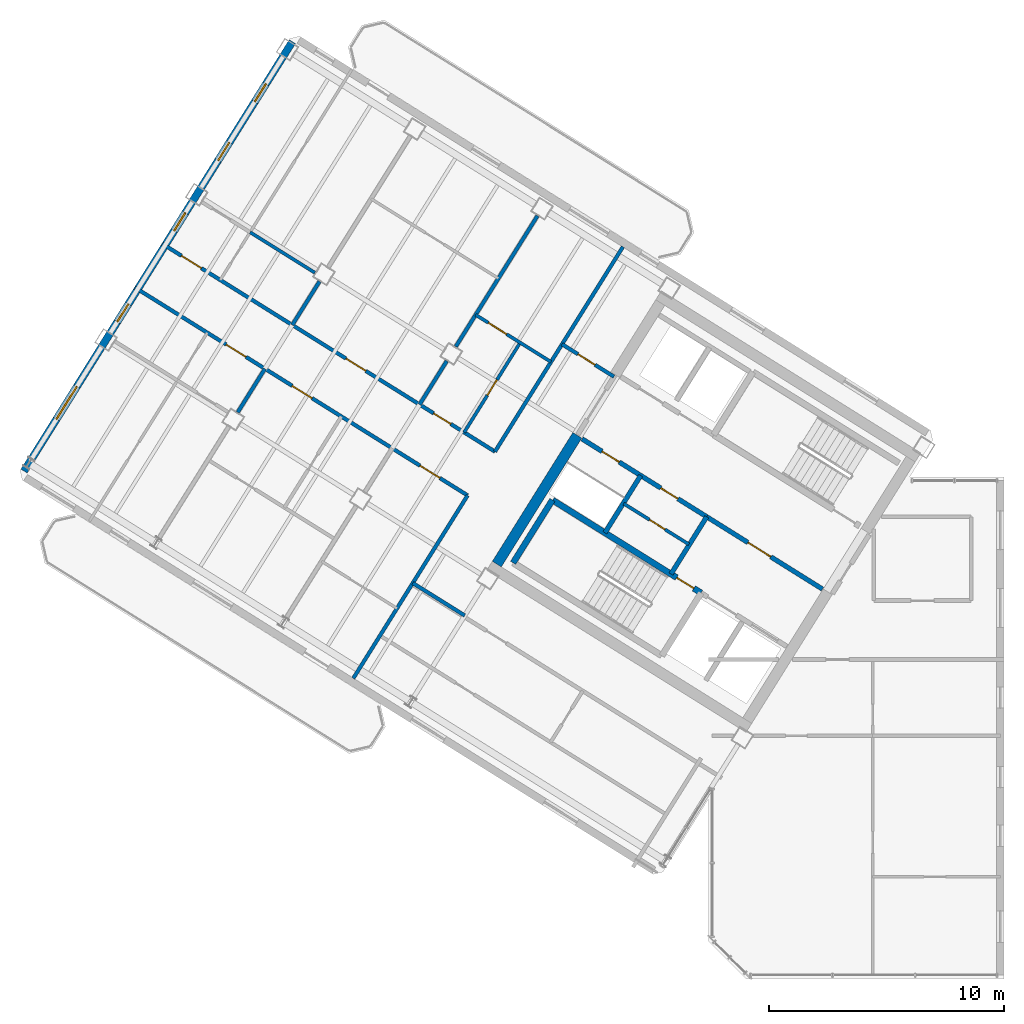
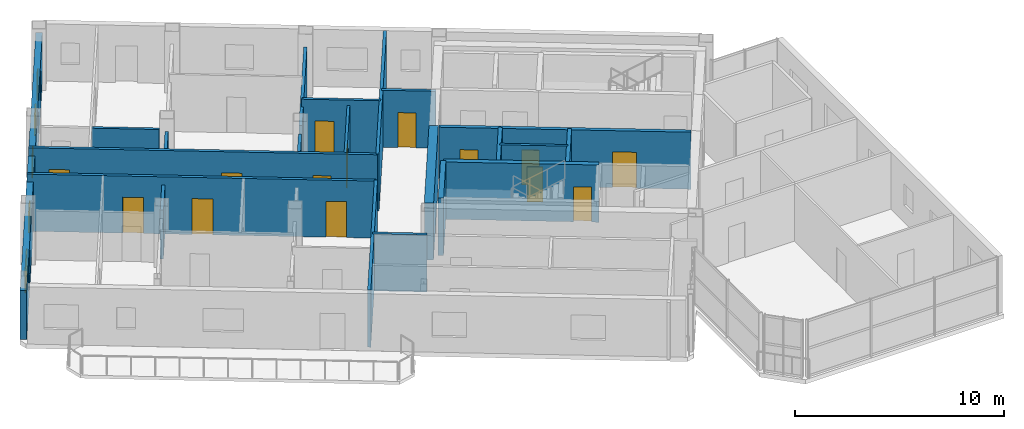
# One storey, part 9 of 14: 22 walls, 14 doors, 5 windows, 19 openings.
"""IFC4 building model written with IfcOpenShell, lengths in metres."""

import ifcopenshell
import ifcopenshell.guid

model = None  # the IFC model being written
_history = None  # IfcOwnerHistory: only IFC2X3 demands one
_inside = {}  # id of a spatial element -> (the spatial element, [elements in it])
_under = {}  # id of a project, library or spatial element -> (it, [spatial elements below it])
_declared = {}  # id of a project -> (the project, [libraries it declares])
_typed = {}  # id of a type object -> (the type object, [elements of that type])
_made_of = {}  # id of a material, layer set ... -> (it, [elements and type objects made of it])


def new_model(schema):
    """Start an empty IFC model of exactly this schema.

    Asked for "IFC4X3", IfcOpenShell would pick the latest addendum, in which some entities
    have other attributes; the version numbers below select the first issue.
    IFC2X3 requires an IfcOwnerHistory on every rooted entity: one is made here for all.
    """
    global model, _history
    if schema == "IFC4X3":
        model = ifcopenshell.file(schema_version=(4, 3, 0, 0))
    else:
        model = ifcopenshell.file(schema=schema)
    _inside.clear()
    _under.clear()
    _declared.clear()
    _typed.clear()
    _made_of.clear()
    _history = None
    if model.schema == "IFC2X3":
        org = make("IfcOrganization", Name="unknown")
        user = make(
            "IfcPersonAndOrganization",
            ThePerson=make("IfcPerson", FamilyName="unknown"),
            TheOrganization=org,
        )
        app = make(
            "IfcApplication",
            ApplicationDeveloper=org,
            Version="unknown",
            ApplicationFullName="unknown",
            ApplicationIdentifier="unknown",
        )
        _history = make(
            "IfcOwnerHistory",
            OwningUser=user,
            OwningApplication=app,
            ChangeAction="ADDED",
            CreationDate=0,
        )
    return model


def make(cls, **values):
    """One entity of the class cls with the attributes given. An attribute that is None is left unset."""
    return model.create_entity(
        cls, **{name: value for name, value in values.items() if value is not None}
    )


def rooted(cls, **values):
    """An entity with a GlobalId (a new one), such as an element, a storey or a relation."""
    return make(cls, GlobalId=ifcopenshell.guid.new(), OwnerHistory=_history, **values)


def si_unit(unit_type, name, prefix=None):
    """IfcSIUnit, for example si_unit("LENGTHUNIT", "METRE", prefix="MILLI")."""
    return make("IfcSIUnit", UnitType=unit_type, Prefix=prefix, Name=name)


def assignment(units):
    """IfcUnitAssignment: the units of a project."""
    return None if units is None else make("IfcUnitAssignment", Units=units)


def point(xyz):
    """IfcCartesianPoint."""
    return None if xyz is None else make("IfcCartesianPoint", Coordinates=xyz)


def direction(xyz):
    """IfcDirection."""
    return None if xyz is None else make("IfcDirection", DirectionRatios=xyz)


def frame(location, z_axis=None, x_axis=None):
    """IfcAxis2Placement3D, a coordinate frame: its origin and axes. An axis left out is left unset."""
    return make(
        "IfcAxis2Placement3D",
        Location=point(location),
        Axis=direction(z_axis),
        RefDirection=direction(x_axis),
    )


def frame_2d(location, x_axis=None):
    """IfcAxis2Placement2D, a coordinate frame in the plane: its origin and x axis."""
    return make(
        "IfcAxis2Placement2D", Location=point(location), RefDirection=direction(x_axis)
    )


def origin():
    """The frame at (0, 0, 0) with its axes left unset."""
    return frame((0.0, 0.0, 0.0))


def place(relative_to, where):
    """IfcLocalPlacement: puts the frame where relative to a parent placement (None: the world)."""
    return make(
        "IfcLocalPlacement", PlacementRelTo=relative_to, RelativePlacement=where
    )


def context(
    kind, dimensions, precision=None, world=None, true_north=None, identifier=None
):
    """IfcGeometricRepresentationContext, for example the 3D "Model" context."""
    return make(
        "IfcGeometricRepresentationContext",
        ContextIdentifier=identifier,
        ContextType=kind,
        CoordinateSpaceDimension=dimensions,
        Precision=precision,
        WorldCoordinateSystem=world,
        TrueNorth=true_north,
    )


def subcontext(parent, identifier, kind, view, scale=None):
    """IfcGeometricRepresentationSubContext, for example "Body" below "Model"."""
    return make(
        "IfcGeometricRepresentationSubContext",
        ContextIdentifier=identifier,
        ContextType=kind,
        ParentContext=parent,
        TargetScale=scale,
        TargetView=view,
    )


def project(units=None, contexts=None):
    """IfcProject with its units and contexts."""
    return rooted(
        "IfcProject",
        Name="project",
        RepresentationContexts=contexts,
        UnitsInContext=assignment(units),
    )


def spatial(cls, under=None, at=None, **own):
    """A site, building, storey or space (cls), placed at a placement, below another one or the project."""
    s = rooted(cls, ObjectPlacement=at, **own)
    if under is not None:
        _under.setdefault(under.id(), (under, []))[1].append(s)
    return s


def profile(cls, at=None, kind="AREA", **sizes):
    """A parametric profile (cls). Its sizes go by their IFC names, for example OverallWidth=200.0."""
    return make(cls, ProfileType=kind, Position=at, **sizes)


def rectangle(**sizes):
    """IfcRectangleProfileDef."""
    return profile("IfcRectangleProfileDef", **sizes)


def extrude(swept, where, along, depth):
    """IfcExtrudedAreaSolid: the profile swept, set in the frame where, extruded along a direction by depth."""
    return make(
        "IfcExtrudedAreaSolid",
        SweptArea=swept,
        Position=where,
        ExtrudedDirection=direction(along),
        Depth=depth,
    )


def shape(context_of_items, identifier, shape_type, items):
    """IfcShapeRepresentation: the items that make up one representation, for example the "Body"."""
    return make(
        "IfcShapeRepresentation",
        ContextOfItems=context_of_items,
        RepresentationIdentifier=identifier,
        RepresentationType=shape_type,
        Items=items,
    )


def source(mapping_origin, context_of_items, identifier, shape_type, items):
    """IfcRepresentationMap: a shape defined once, which mapped items show again and again."""
    return make(
        "IfcRepresentationMap",
        MappingOrigin=mapping_origin,
        MappedRepresentation=shape(context_of_items, identifier, shape_type, items),
    )


def transform(
    local_origin,
    x_axis=None,
    y_axis=None,
    z_axis=None,
    scale=None,
    scale2=None,
    scale3=None,
    uniform=True,
):
    """IfcCartesianTransformationOperator3D, or its non-uniform kind. x_axis, y_axis, z_axis: its Axis1, 2, 3."""
    if uniform:
        return make(
            "IfcCartesianTransformationOperator3D",
            Axis1=direction(x_axis),
            Axis2=direction(y_axis),
            LocalOrigin=point(local_origin),
            Scale=scale,
            Axis3=direction(z_axis),
        )
    return make(
        "IfcCartesianTransformationOperator3DnonUniform",
        Axis1=direction(x_axis),
        Axis2=direction(y_axis),
        LocalOrigin=point(local_origin),
        Scale=scale,
        Axis3=direction(z_axis),
        Scale2=scale2,
        Scale3=scale3,
    )


def mapped(mapping_source, mapping_target):
    """IfcMappedItem: shows the shape of a source again, moved by a transform."""
    return make(
        "IfcMappedItem", MappingSource=mapping_source, MappingTarget=mapping_target
    )


def material(Name=None, Category=None):
    """IfcMaterial."""
    return make("IfcMaterial", Name=Name, Category=Category)


def layer(
    of_material, thickness, ventilated=None, Name=None, Category=None, Priority=None
):
    """IfcMaterialLayer: one layer of a wall or slab, of a material (None: an air gap)."""
    return make(
        "IfcMaterialLayer",
        Material=of_material,
        LayerThickness=thickness,
        IsVentilated=ventilated,
        Name=Name,
        Category=Category,
        Priority=Priority,
    )


def layer_set(layers, Name=None):
    """IfcMaterialLayerSet."""
    return make("IfcMaterialLayerSet", MaterialLayers=layers, LayerSetName=Name)


def made_of(thing, what):
    """Note that an element or type object is made of a material, layer set ...; save() writes the relation."""
    if what is not None:
        _made_of.setdefault(what.id(), (what, []))[1].append(thing)
    return thing


def type_object(cls, material=None, **own):
    """A type object (cls), such as IfcWallType, which elements share."""
    return made_of(rooted(cls, **own), material)


def element(
    cls,
    number,
    at=None,
    inside=None,
    cuts=None,
    type_object=None,
    material=None,
    context=None,
    identifier="Body",
    shape_type=None,
    held_by="IfcProductDefinitionShape",
    body=None,
    shapes=None,
    **own,
):
    """One element of the class cls, such as IfcWall. Its Tag is "e" and its number.

    at: its placement. inside: the storey or other place that contains it. cuts: it is an
    opening in that element (IfcRelVoidsElement). A single representation is given by context,
    identifier, shape_type and body (its items); several are given by shapes. held_by: the class
    of the entity that holds the representations. save() writes the other relations.
    """
    e = rooted(cls, Tag="e%d" % number, ObjectPlacement=at, **own)
    if body is not None:
        shapes = [shape(context, identifier, shape_type, body)]
    if shapes is not None:
        e.Representation = make(held_by, Representations=shapes)
    if inside is not None:
        _inside.setdefault(inside.id(), (inside, []))[1].append(e)
    if cuts is not None:
        rooted(
            "IfcRelVoidsElement", RelatingBuildingElement=cuts, RelatedOpeningElement=e
        )
    if type_object is not None:
        _typed.setdefault(type_object.id(), (type_object, []))[1].append(e)
    return made_of(e, material)


def fill(opening, filler):
    """IfcRelFillsElement: the door or window that sits in an opening."""
    return rooted(
        "IfcRelFillsElement",
        RelatingOpeningElement=opening,
        RelatedBuildingElement=filler,
    )


def aggregate(whole, parts):
    """IfcRelAggregates: a whole, such as a stair, and the parts it consists of."""
    return rooted("IfcRelAggregates", RelatingObject=whole, RelatedObjects=parts)


def save(model, path):
    """Write the relations noted so far, then the file.

    IfcRelAggregates (storeys below a building ...), IfcRelContainedInSpatialStructure (elements
    in a storey), IfcRelDefinesByType, IfcRelAssociatesMaterial and IfcRelDeclares: one each for
    every whole, place, type object, material and project.
    """
    for whole, parts in _under.values():
        aggregate(whole, parts)
    for where, things in _inside.values():
        rooted(
            "IfcRelContainedInSpatialStructure",
            RelatedElements=things,
            RelatingStructure=where,
        )
    for kind, things in _typed.values():
        rooted("IfcRelDefinesByType", RelatedObjects=things, RelatingType=kind)
    for what, things in _made_of.values():
        rooted("IfcRelAssociatesMaterial", RelatedObjects=things, RelatingMaterial=what)
    for by, libraries in _declared.values():
        rooted("IfcRelDeclares", RelatingContext=by, RelatedDefinitions=libraries)
    model.write(path)


model = new_model("IFC4")

# Units and contexts
model_context = context("Model", 3, precision=1e-05, world=origin(), true_north=direction((0.0, 1.0)))
body_context = subcontext(model_context, "Body", "Model", "MODEL_VIEW")
ifc_project = project(units=[si_unit("LENGTHUNIT", "METRE"), si_unit("AREAUNIT", "SQUARE_METRE"), si_unit("VOLUMEUNIT", "CUBIC_METRE"), si_unit("PLANEANGLEUNIT", "RADIAN"), si_unit("MASSUNIT", "GRAM", prefix="KILO")], contexts=[model_context])

# Site, building, storey
site_placement = place(None, origin())
site = spatial("IfcSite", under=ifc_project, at=site_placement, CompositionType="ELEMENT")
building_placement = place(site_placement, origin())
building = spatial("IfcBuilding", under=site, at=building_placement, Name="Tlacorven Tower", CompositionType="ELEMENT")
storey_placement = place(building_placement, frame((0.0, 0.0, 273.60009765625)))
storey = spatial("IfcBuildingStorey", under=building, at=storey_placement, Name="L69", CompositionType="ELEMENT", Elevation=273.60009765625)

# Wall
ifc_material_1 = material(Name="Concrete C50/60", Category="concrete")
ifc_layer_1 = layer(ifc_material_1, 0.449951171875)
ifc_layer_set_1 = layer_set([ifc_layer_1], Name="Concrete C50/60")
wall_type_1 = type_object("IfcWallType", Name="WL-COR-450", PredefinedType="SHEAR", material=ifc_layer_set_1)
wall_1_placement = place(storey_placement, frame((26.006591796875, 24.975830078125, 0.0), z_axis=(0.0, 0.0, 1.0), x_axis=(-0.529931155655, -0.848040665456, 0.0)))
element("IfcWall", 1, at=wall_1_placement, inside=storey, type_object=wall_type_1, Name="L69 W core end wall E2.2", PredefinedType="SHEAR", context=body_context, shape_type="SweptSolid", body=[
    extrude(rectangle(XDim=6.47509765625, YDim=0.449951171875, at=frame_2d((3.237548828125, 0.0))), origin(), (0.0, 0.0, 1.0), 3.349853515625),
])

# Wall, opening, door
ifc_material_2 = material(Name="Gypsum plasterboard acoustic partition", Category="gypsum")
ifc_layer_2 = layer(ifc_material_2, 0.159912109375)
ifc_layer_set_2 = layer_set([ifc_layer_2], Name="Gypsum plasterboard acoustic partition")
wall_type_2 = type_object("IfcWallType", Name="WL-DEM-160", PredefinedType="PARTITIONING", material=ifc_layer_set_2)
wall_2_placement = place(storey_placement, frame((27.56982421875, 27.4775390625, 0.0), z_axis=(0.0, 0.0, 1.0), x_axis=(-0.848050851465, 0.529914854792, 0.0)))
wall_2 = element("IfcWall", 2, at=wall_2_placement, inside=storey, type_object=wall_type_2, Name="L69 partition 20", PredefinedType="PARTITIONING", context=body_context, shape_type="SweptSolid", body=[
    extrude(rectangle(XDim=2.60986328125, YDim=0.159912109375, at=frame_2d((1.304931640625, 0.0))), origin(), (0.0, 0.0, 1.0), 3.33984375),
])
opening_1_placement = place(wall_2_placement, frame((0.949951171875, 0.0, 0.0)))
opening_1 = element("IfcOpeningElement", 3, at=opening_1_placement, cuts=wall_2, Name="Opening D19", PredefinedType="OPENING", context=body_context, shape_type="SweptSolid", body=[
    extrude(rectangle(XDim=0.860107421875, YDim=2.050048828125, at=frame_2d((0.43017578125, 1.02490234375))), frame((0.0, 0.08984375, 0.0), z_axis=(0.0, -1.0, 0.0), x_axis=(1.0, 0.0, 0.0)), (0.0, 0.0, 1.0), 0.179931640625),
])
ifc_material_3 = material(Name="Fire-rated steel door assembly", Category="steel")
door_type_1 = type_object("IfcDoorType", Name="DR-RSR-FD60-0860", OperationType="NOTDEFINED", PredefinedType="DOOR", material=ifc_material_3)
shared_shape_1 = source(origin(), body_context, "Body", "SweptSolid", [
    extrude(rectangle(XDim=0.860107421875, YDim=2.050048828125, at=frame_2d((0.43017578125, 1.02490234375))), frame((0.0, 0.02490234375, 0.0), z_axis=(0.0, -1.0, 0.0), x_axis=(1.0, 0.0, 0.0)), (0.0, 0.0, 1.0), 0.050048828125),
])
door_1_placement = place(opening_1_placement, frame((0.860107421875, 0.0, 0.0), z_axis=(0.0, 0.0, 1.0), x_axis=(-1.0, 0.0, 0.0)))
door_1 = element("IfcDoor", 4, at=door_1_placement, inside=storey, type_object=door_type_1, Name="L69 door 011", OperationType="SINGLE_SWING_LEFT", OverallHeight=2.050048828125, OverallWidth=0.860107421875, PredefinedType="DOOR", context=body_context, shape_type="MappedRepresentation", body=[
    mapped(shared_shape_1, transform((0.0, 0.0, 0.0), scale=1.0)),
])
fill(opening_1, door_1)

# Walls
wall_3_placement = place(storey_placement, frame((21.20556640625, 17.29248046875, 0.0), z_axis=(0.0, 0.0, 1.0), x_axis=(-0.848050851465, 0.529914854792, 0.0)))
element("IfcWall", 5, at=wall_3_placement, inside=storey, type_object=wall_type_2, Name="L69 partition 21", PredefinedType="PARTITIONING", context=body_context, shape_type="SweptSolid", body=[
    extrude(rectangle(XDim=2.60986328125, YDim=0.159912109375, at=frame_2d((1.304931640625, 0.0))), origin(), (0.0, 0.0, 1.0), 3.33984375),
])
wall_4_placement = place(storey_placement, frame((27.952880859375, 33.01611328125, 0.0), z_axis=(0.0, 0.0, 1.0), x_axis=(-0.529909450694, -0.848054228257, 0.0)))
element("IfcWall", 6, at=wall_4_placement, inside=storey, type_object=wall_type_2, Name="L69 partition 22", PredefinedType="PARTITIONING", context=body_context, shape_type="SweptSolid", body=[
    extrude(rectangle(XDim=10.2998046875, YDim=0.159912109375, at=frame_2d((5.14990234375, 0.0))), origin(), (0.0, 0.0, 1.0), 3.33984375),
])
wall_5_placement = place(storey_placement, frame((21.3291015625, 22.41552734375, 0.0), z_axis=(0.0, 0.0, 1.0), x_axis=(-0.529920220799, -0.848047498427, 0.0)))
element("IfcWall", 7, at=wall_5_placement, inside=storey, type_object=wall_type_2, Name="L69 partition 23", PredefinedType="PARTITIONING", context=body_context, shape_type="SweptSolid", body=[
    extrude(rectangle(XDim=9.199951171875, YDim=0.159912109375, at=frame_2d((4.60009765625, 0.0))), origin(), (0.0, 0.0, 1.0), 3.33984375),
])

# Wall, openings, doors
wall_6_placement = place(storey_placement, frame((22.494873046875, 24.28125, 0.0), z_axis=(0.0, 0.0, 1.0), x_axis=(-0.848052408131, 0.529912363569, 0.0)))
wall_6 = element("IfcWall", 8, at=wall_6_placement, inside=storey, type_object=wall_type_2, Name="L69 Wing W Corridor South Wall", PredefinedType="PARTITIONING", context=body_context, shape_type="SweptSolid", body=[
    extrude(rectangle(XDim=16.72998046875, YDim=0.159912109375, at=frame_2d((8.364990234375, 0.0))), origin(), (0.0, 0.0, 1.0), 3.33984375),
])
opening_2_placement = place(wall_6_placement, frame((2.219970703125, 0.0, 0.0)))
opening_2 = element("IfcOpeningElement", 9, at=opening_2_placement, cuts=wall_6, Name="Opening D19", PredefinedType="OPENING", context=body_context, shape_type="SweptSolid", body=[
    extrude(rectangle(XDim=0.860107421875, YDim=2.050048828125, at=frame_2d((0.43017578125, 1.02490234375))), frame((0.0, 0.08984375, 0.0), z_axis=(0.0, -1.0, 0.0), x_axis=(1.0, 0.0, 0.0)), (0.0, 0.0, 1.0), 0.179931640625),
])
opening_3_placement = place(wall_6_placement, frame((6.489990234375, 0.0, 0.0)))
opening_3 = element("IfcOpeningElement", 10, at=opening_3_placement, cuts=wall_6, Name="Opening D11", PredefinedType="OPENING", context=body_context, shape_type="SweptSolid", body=[
    extrude(rectangle(XDim=1.0, YDim=2.10009765625, at=frame_2d((0.5, 1.050048828125))), frame((0.0, 0.08984375, 0.0), z_axis=(0.0, -1.0, 0.0), x_axis=(1.0, 0.0, 0.0)), (0.0, 0.0, 1.0), 0.179931640625),
])
opening_4_placement = place(wall_6_placement, frame((14.760009765625, 0.0, 0.0)))
opening_4 = element("IfcOpeningElement", 11, at=opening_4_placement, cuts=wall_6, Name="Opening D11", PredefinedType="OPENING", context=body_context, shape_type="SweptSolid", body=[
    extrude(rectangle(XDim=1.0, YDim=2.10009765625, at=frame_2d((0.5, 1.050048828125))), frame((0.0, 0.08984375, 0.0), z_axis=(0.0, -1.0, 0.0), x_axis=(1.0, 0.0, 0.0)), (0.0, 0.0, 1.0), 0.179931640625),
])
door_2_placement = place(opening_2_placement, origin())
door_2 = element("IfcDoor", 12, at=door_2_placement, inside=storey, type_object=door_type_1, Name="L69 door 023", OperationType="SINGLE_SWING_RIGHT", OverallHeight=2.050048828125, OverallWidth=0.860107421875, PredefinedType="DOOR", context=body_context, shape_type="MappedRepresentation", body=[
    mapped(shared_shape_1, transform((0.0, 0.0, 0.0), scale=1.0)),
])
fill(opening_2, door_2)
door_type_2 = type_object("IfcDoorType", Name="DR-FLT-FD60-1000", OperationType="NOTDEFINED", PredefinedType="DOOR", material=ifc_material_3)
shared_shape_2 = source(origin(), body_context, "Body", "SweptSolid", [
    extrude(rectangle(XDim=1.0, YDim=2.10009765625, at=frame_2d((0.5, 1.050048828125))), frame((0.0, 0.02490234375, 0.0), z_axis=(0.0, -1.0, 0.0), x_axis=(1.0, 0.0, 0.0)), (0.0, 0.0, 1.0), 0.050048828125),
])
door_3_placement = place(opening_3_placement, origin())
door_3 = element("IfcDoor", 13, at=door_3_placement, inside=storey, type_object=door_type_2, Name="L69 door 026", OperationType="SINGLE_SWING_LEFT", OverallHeight=2.10009765625, OverallWidth=1.0, PredefinedType="DOOR", context=body_context, shape_type="MappedRepresentation", body=[
    mapped(shared_shape_2, transform((0.0, 0.0, 0.0), scale=1.0)),
])
fill(opening_3, door_3)
door_4_placement = place(opening_4_placement, origin())
door_4 = element("IfcDoor", 14, at=door_4_placement, inside=storey, type_object=door_type_2, Name="L69 door 029", OperationType="SINGLE_SWING_RIGHT", OverallHeight=2.10009765625, OverallWidth=1.0, PredefinedType="DOOR", context=body_context, shape_type="MappedRepresentation", body=[
    mapped(shared_shape_2, transform((0.0, 0.0, 0.0), scale=1.0)),
])
fill(opening_4, door_4)

wall_7_placement = place(storey_placement, frame((21.3291015625, 22.41552734375, 0.0), z_axis=(0.0, 0.0, 1.0), x_axis=(-0.848052408131, 0.529912363569, 0.0)))
wall_7 = element("IfcWall", 15, at=wall_7_placement, inside=storey, type_object=wall_type_2, Name="L69 Wing W Corridor North Wall", PredefinedType="PARTITIONING", context=body_context, shape_type="SweptSolid", body=[
    extrude(rectangle(XDim=16.72998046875, YDim=0.159912109375, at=frame_2d((8.364990234375, 0.0))), origin(), (0.0, 0.0, 1.0), 3.33984375),
])
opening_5_placement = place(wall_7_placement, frame((1.39501953125, 0.0, 0.0)))
opening_5 = element("IfcOpeningElement", 16, at=opening_5_placement, cuts=wall_7, Name="Opening D11", PredefinedType="OPENING", context=body_context, shape_type="SweptSolid", body=[
    extrude(rectangle(XDim=1.0, YDim=2.10009765625, at=frame_2d((0.5, 1.050048828125))), frame((0.0, 0.08984375, 0.0), z_axis=(0.0, -1.0, 0.0), x_axis=(1.0, 0.0, 0.0)), (0.0, 0.0, 1.0), 0.179931640625),
])
opening_6_placement = place(wall_7_placement, frame((7.820068359375, 0.0, 0.0)))
opening_6 = element("IfcOpeningElement", 17, at=opening_6_placement, cuts=wall_7, Name="Opening D11", PredefinedType="OPENING", context=body_context, shape_type="SweptSolid", body=[
    extrude(rectangle(XDim=1.0, YDim=2.10009765625, at=frame_2d((0.5, 1.050048828125))), frame((0.0, 0.08984375, 0.0), z_axis=(0.0, -1.0, 0.0), x_axis=(1.0, 0.0, 0.0)), (0.0, 0.0, 1.0), 0.179931640625),
])
opening_7_placement = place(wall_7_placement, frame((11.139892578125, 0.0, 0.0)))
opening_7 = element("IfcOpeningElement", 18, at=opening_7_placement, cuts=wall_7, Name="Opening D11", PredefinedType="OPENING", context=body_context, shape_type="SweptSolid", body=[
    extrude(rectangle(XDim=1.0, YDim=2.10009765625, at=frame_2d((0.5, 1.050048828125))), frame((0.0, 0.08984375, 0.0), z_axis=(0.0, -1.0, 0.0), x_axis=(1.0, 0.0, 0.0)), (0.0, 0.0, 1.0), 0.179931640625),
])
door_5_placement = place(opening_5_placement, origin())
door_5 = element("IfcDoor", 19, at=door_5_placement, inside=storey, type_object=door_type_2, Name="L69 door 013", OperationType="SINGLE_SWING_RIGHT", OverallHeight=2.10009765625, OverallWidth=1.0, PredefinedType="DOOR", context=body_context, shape_type="MappedRepresentation", body=[
    mapped(shared_shape_2, transform((0.0, 0.0, 0.0), scale=1.0)),
])
fill(opening_5, door_5)
door_6_placement = place(opening_6_placement, origin())
door_6 = element("IfcDoor", 20, at=door_6_placement, inside=storey, type_object=door_type_2, Name="L69 door 015", OperationType="SINGLE_SWING_RIGHT", OverallHeight=2.10009765625, OverallWidth=1.0, PredefinedType="DOOR", context=body_context, shape_type="MappedRepresentation", body=[
    mapped(shared_shape_2, transform((0.0, 0.0, 0.0), scale=1.0)),
])
fill(opening_6, door_6)
door_7_placement = place(opening_7_placement, origin())
door_7 = element("IfcDoor", 21, at=door_7_placement, inside=storey, type_object=door_type_2, Name="L69 door 019", OperationType="SINGLE_SWING_RIGHT", OverallHeight=2.10009765625, OverallWidth=1.0, PredefinedType="DOOR", context=body_context, shape_type="MappedRepresentation", body=[
    mapped(shared_shape_2, transform((0.0, 0.0, 0.0), scale=1.0)),
])
fill(opening_7, door_7)

# Walls
wall_8_placement = place(storey_placement, frame((12.6875, 27.8154296875, 0.0), z_axis=(0.0, 0.0, 1.0), x_axis=(-0.52994879608, -0.848029641896, 0.0)))
element("IfcWall", 22, at=wall_8_placement, inside=storey, type_object=wall_type_2, Name="L69 WN Demising Wall 2", PredefinedType="PARTITIONING", context=body_context, shape_type="SweptSolid", body=[
    extrude(rectangle(XDim=2.188232421875, YDim=0.159912109375, at=frame_2d((1.09423828125, 0.0))), origin(), (0.0, 0.0, 1.0), 2.875),
])
wall_9_placement = place(storey_placement, frame((24.30859375, 34.3359375, 0.0), z_axis=(0.0, 0.0, 1.0), x_axis=(-0.529895484599, -0.848062954858, 0.0)))
element("IfcWall", 23, at=wall_9_placement, inside=storey, type_object=wall_type_2, Name="L69 WS Demising Wall 1", PredefinedType="PARTITIONING", context=body_context, shape_type="SweptSolid", body=[
    extrude(rectangle(XDim=6.576171875, YDim=0.159912109375, at=frame_2d((3.2880859375, 0.0))), origin(), (0.0, 0.0, 1.0), 2.875),
])
for number, where, z_axis, x_axis, name in (
    (24, (20.440185546875, 28.14501953125, 0.0), (0.0, 0.0, 1.0), (-0.5299186965, -0.848048450915, 0.0), "L69 WS Demising Wall 1"),
    (25, (15.0126953125, 31.53662109375, 0.0), (0.0, 0.0, 1.0), (-0.5299186965, -0.848048450915, 0.0), "L69 WS Demising Wall 2"),
):
    element("IfcWall", number, at=place(storey_placement, frame(where, z_axis=z_axis, x_axis=x_axis)), inside=storey, type_object=wall_type_2, Name=name, PredefinedType="PARTITIONING", context=body_context, shape_type="SweptSolid", body=[
        extrude(rectangle(XDim=2.18798828125, YDim=0.159912109375, at=frame_2d((1.093994140625, 0.0))), origin(), (0.0, 0.0, 1.0), 2.875),
    ])

# Wall, openings, windows
ifc_material_4 = material(Name="Precast concrete C45/55", Category="concrete")
ifc_layer_3 = layer(ifc_material_4, 0.320068359375)
ifc_layer_set_3 = layer_set([ifc_layer_3], Name="Precast concrete C45/55")
wall_type_3 = type_object("IfcWallType", Name="WL-EXT-320", PredefinedType="STANDARD", material=ifc_layer_set_3)
wall_10_placement = place(storey_placement, frame((2.41455078125, 23.452392578125, 0.0), z_axis=(0.0, 0.0, 1.0), x_axis=(0.52991049553, 0.848053575387, 0.0)))
wall_10 = element("IfcWall", 26, at=wall_10_placement, inside=storey, type_object=wall_type_3, Name="L69 Masonry-Frame Recessed Facade Wall 3", PredefinedType="STANDARD", context=body_context, shape_type="SweptSolid", body=[
    extrude(rectangle(XDim=21.58740234375, YDim=0.320068359375, at=frame_2d((10.793701171875, 0.0))), origin(), (0.0, 0.0, 1.0), 2.875),
])
opening_8_placement = place(wall_10_placement, frame((2.606201171875, 0.0, 0.89990234375)))
opening_8 = element("IfcOpeningElement", 27, at=opening_8_placement, cuts=wall_10, Name="Opening WN07", PredefinedType="OPENING", context=body_context, shape_type="SweptSolid", body=[
    extrude(rectangle(XDim=1.64990234375, YDim=1.449951171875, at=frame_2d((0.824951171875, 0.72509765625))), frame((0.0, 0.169921875, 0.0), z_axis=(0.0, -1.0, 0.0), x_axis=(1.0, 0.0, 0.0)), (0.0, 0.0, 1.0), 0.340087890625),
])
opening_9_placement = place(wall_10_placement, frame((7.503662109375, 0.0, 1.0)))
opening_9 = element("IfcOpeningElement", 28, at=opening_9_placement, cuts=wall_10, Name="Opening WN05", PredefinedType="OPENING", context=body_context, shape_type="SweptSolid", body=[
    extrude(rectangle(XDim=0.89990234375, YDim=1.25, at=frame_2d((0.449951171875, 0.625))), frame((0.0, 0.169921875, 0.0), z_axis=(0.0, -1.0, 0.0), x_axis=(1.0, 0.0, 0.0)), (0.0, 0.0, 1.0), 0.340087890625),
])
opening_10_placement = place(wall_10_placement, frame((12.083740234375, 0.0, 1.0)))
opening_10 = element("IfcOpeningElement", 29, at=opening_10_placement, cuts=wall_10, Name="Opening WN05", PredefinedType="OPENING", context=body_context, shape_type="SweptSolid", body=[
    extrude(rectangle(XDim=0.89990234375, YDim=1.25, at=frame_2d((0.449951171875, 0.625))), frame((0.0, 0.169921875, 0.0), z_axis=(0.0, -1.0, 0.0), x_axis=(1.0, 0.0, 0.0)), (0.0, 0.0, 1.0), 0.340087890625),
])
opening_11_placement = place(wall_10_placement, frame((15.61865234375, 0.0, 1.0)))
opening_11 = element("IfcOpeningElement", 30, at=opening_11_placement, cuts=wall_10, Name="Opening WN05", PredefinedType="OPENING", context=body_context, shape_type="SweptSolid", body=[
    extrude(rectangle(XDim=0.89990234375, YDim=1.25, at=frame_2d((0.449951171875, 0.625))), frame((0.0, 0.169921875, 0.0), z_axis=(0.0, -1.0, 0.0), x_axis=(1.0, 0.0, 0.0)), (0.0, 0.0, 1.0), 0.340087890625),
])
opening_12_placement = place(wall_10_placement, frame((18.568603515625, 0.0, 1.0)))
opening_12 = element("IfcOpeningElement", 31, at=opening_12_placement, cuts=wall_10, Name="Opening WN05", PredefinedType="OPENING", context=body_context, shape_type="SweptSolid", body=[
    extrude(rectangle(XDim=0.89990234375, YDim=1.25, at=frame_2d((0.449951171875, 0.625))), frame((0.0, 0.169921875, 0.0), z_axis=(0.0, -1.0, 0.0), x_axis=(1.0, 0.0, 0.0)), (0.0, 0.0, 1.0), 0.340087890625),
])
ifc_material_5 = material(Name="Dark solar low-E double glazing in anodised aluminium frame", Category="aluminium")
window_type_1 = type_object("IfcWindowType", Name="WN-APT-0900X1350", PartitioningType="SINGLE_PANEL", PredefinedType="WINDOW", material=ifc_material_5)
shared_shape_3 = source(origin(), body_context, "Body", "SweptSolid", [
    extrude(rectangle(XDim=0.89990234375, YDim=1.25, at=frame_2d((0.449951171875, 0.625))), frame((0.0, 0.030029296875, 0.0), z_axis=(0.0, -1.0, 0.0), x_axis=(1.0, 0.0, 0.0)), (0.0, 0.0, 1.0), 0.06005859375),
])
window_1_placement = place(opening_9_placement, origin())
window_1 = element("IfcWindow", 32, at=window_1_placement, inside=storey, type_object=window_type_1, Name="L69 Recessed Masonry-Frame Window L69-03.2", OverallHeight=1.25, OverallWidth=0.89990234375, PartitioningType="SINGLE_PANEL", PredefinedType="WINDOW", context=body_context, shape_type="MappedRepresentation", body=[
    mapped(shared_shape_3, transform((0.0, 0.0, 0.0), scale=1.0)),
])
fill(opening_9, window_1)
window_2_placement = place(opening_10_placement, origin())
window_2 = element("IfcWindow", 33, at=window_2_placement, inside=storey, type_object=window_type_1, Name="L69 Recessed Masonry-Frame Window L69-03.3", OverallHeight=1.25, OverallWidth=0.89990234375, PartitioningType="SINGLE_PANEL", PredefinedType="WINDOW", context=body_context, shape_type="MappedRepresentation", body=[
    mapped(shared_shape_3, transform((0.0, 0.0, 0.0), scale=1.0)),
])
fill(opening_10, window_2)
window_3_placement = place(opening_11_placement, origin())
window_3 = element("IfcWindow", 34, at=window_3_placement, inside=storey, type_object=window_type_1, Name="L69 Recessed Masonry-Frame Window L69-03.4", OverallHeight=1.25, OverallWidth=0.89990234375, PartitioningType="SINGLE_PANEL", PredefinedType="WINDOW", context=body_context, shape_type="MappedRepresentation", body=[
    mapped(shared_shape_3, transform((0.0, 0.0, 0.0), scale=1.0)),
])
fill(opening_11, window_3)
window_4_placement = place(opening_12_placement, origin())
window_4 = element("IfcWindow", 35, at=window_4_placement, inside=storey, type_object=window_type_1, Name="L69 Recessed Masonry-Frame Window L69-03.5", OverallHeight=1.25, OverallWidth=0.89990234375, PartitioningType="SINGLE_PANEL", PredefinedType="WINDOW", context=body_context, shape_type="MappedRepresentation", body=[
    mapped(shared_shape_3, transform((0.0, 0.0, 0.0), scale=1.0)),
])
fill(opening_12, window_4)
window_type_2 = type_object("IfcWindowType", Name="WN-APT-1650X1600", PartitioningType="SINGLE_PANEL", PredefinedType="WINDOW", material=ifc_material_5)
shared_shape_4 = source(origin(), body_context, "Body", "SweptSolid", [
    extrude(rectangle(XDim=1.64990234375, YDim=1.449951171875, at=frame_2d((0.824951171875, 0.72509765625))), frame((0.0, 0.030029296875, 0.0), z_axis=(0.0, -1.0, 0.0), x_axis=(1.0, 0.0, 0.0)), (0.0, 0.0, 1.0), 0.06005859375),
])
window_5_placement = place(opening_8_placement, origin())
window_5 = element("IfcWindow", 36, at=window_5_placement, inside=storey, type_object=window_type_2, Name="L69 Recessed Masonry-Frame Window L69-03.1", OverallHeight=1.449951171875, OverallWidth=1.64990234375, PartitioningType="SINGLE_PANEL", PredefinedType="WINDOW", context=body_context, shape_type="MappedRepresentation", body=[
    mapped(shared_shape_4, transform((0.0, 0.0, 0.0), scale=1.0)),
])
fill(opening_8, window_5)

# Wall, opening, door
ifc_material_6 = material(Name="Moisture-resistant gypsum plumbing wall", Category="gypsum")
ifc_layer_4 = layer(ifc_material_6, 0.139892578125)
ifc_layer_set_4 = layer_set([ifc_layer_4], Name="Moisture-resistant gypsum plumbing wall")
wall_type_4 = type_object("IfcWallType", Name="WL-PLM-140", PredefinedType="PLUMBINGWALL", material=ifc_layer_set_4)
wall_11_placement = place(storey_placement, frame((30.766357421875, 20.3271484375, 0.0), z_axis=(0.0, 0.0, 1.0), x_axis=(-0.848052663127, 0.529911955482, 0.0)))
wall_11 = element("IfcWall", 37, at=wall_11_placement, inside=storey, type_object=wall_type_4, Name="L69 partition 18", PredefinedType="PLUMBINGWALL", context=body_context, shape_type="SweptSolid", body=[
    extrude(rectangle(XDim=3.27978515625, YDim=0.139892578125, at=frame_2d((1.639892578125, 0.0))), origin(), (0.0, 0.0, 1.0), 3.33984375),
])
opening_13_placement = place(wall_11_placement, frame((1.199951171875, 0.0, 0.0)))
opening_13 = element("IfcOpeningElement", 38, at=opening_13_placement, cuts=wall_11, Name="Opening D22", PredefinedType="OPENING", context=body_context, shape_type="SweptSolid", body=[
    extrude(rectangle(XDim=0.780029296875, YDim=2.050048828125, at=frame_2d((0.39013671875, 1.02490234375))), frame((0.0, 0.080078125, 0.0), z_axis=(0.0, -1.0, 0.0), x_axis=(1.0, 0.0, 0.0)), (0.0, 0.0, 1.0), 0.159912109375),
])
ifc_material_7 = material(Name="Powder-coated aluminium and timber door", Category="wood")
door_type_3 = type_object("IfcDoorType", Name="DR-INT-WET-0780", OperationType="NOTDEFINED", PredefinedType="DOOR", material=ifc_material_7)
shared_shape_5 = source(origin(), body_context, "Body", "SweptSolid", [
    extrude(rectangle(XDim=0.780029296875, YDim=2.050048828125, at=frame_2d((0.39013671875, 1.02490234375))), frame((0.0, 0.02490234375, 0.0), z_axis=(0.0, -1.0, 0.0), x_axis=(1.0, 0.0, 0.0)), (0.0, 0.0, 1.0), 0.050048828125),
])
door_8_placement = place(opening_13_placement, origin())
door_8 = element("IfcDoor", 39, at=door_8_placement, inside=storey, type_object=door_type_3, Name="L69 door 010", OperationType="SINGLE_SWING_RIGHT", OverallHeight=2.050048828125, OverallWidth=0.780029296875, PredefinedType="DOOR", context=body_context, shape_type="MappedRepresentation", body=[
    mapped(shared_shape_5, transform((0.0, 0.0, 0.0), scale=1.0)),
])
fill(opening_13, door_8)

wall_12_placement = place(storey_placement, frame((24.884765625, 28.10595703125, 0.0), z_axis=(0.0, 0.0, 1.0), x_axis=(-0.848059820872, 0.529900500304, 0.0)))
wall_12 = element("IfcWall", 40, at=wall_12_placement, inside=storey, type_object=wall_type_4, Name="L69 partition 37", PredefinedType="PLUMBINGWALL", context=body_context, shape_type="SweptSolid", body=[
    extrude(rectangle(XDim=3.7900390625, YDim=0.139892578125, at=frame_2d((1.89501953125, 0.0))), origin(), (0.0, 0.0, 1.0), 3.33984375),
])
opening_14_placement = place(wall_12_placement, frame((2.22998046875, 0.0, 0.0)))
opening_14 = element("IfcOpeningElement", 41, at=opening_14_placement, cuts=wall_12, Name="Opening D12", PredefinedType="OPENING", context=body_context, shape_type="SweptSolid", body=[
    extrude(rectangle(XDim=0.919921875, YDim=2.080078125, at=frame_2d((0.4599609375, 1.0400390625))), frame((0.0, 0.080078125, 0.0), z_axis=(0.0, -1.0, 0.0), x_axis=(1.0, 0.0, 0.0)), (0.0, 0.0, 1.0), 0.159912109375),
])
door_type_4 = type_object("IfcDoorType", Name="DR-INT-ROOM-0920", OperationType="NOTDEFINED", PredefinedType="DOOR", material=ifc_material_7)
shared_shape_6 = source(origin(), body_context, "Body", "SweptSolid", [
    extrude(rectangle(XDim=0.919921875, YDim=2.080078125, at=frame_2d((0.4599609375, 1.0400390625))), frame((0.0, 0.02490234375, 0.0), z_axis=(0.0, -1.0, 0.0), x_axis=(1.0, 0.0, 0.0)), (0.0, 0.0, 1.0), 0.050048828125),
])
door_9_placement = place(opening_14_placement, origin())
door_9 = element("IfcDoor", 42, at=door_9_placement, inside=storey, type_object=door_type_4, Name="L69 door 024", OperationType="SINGLE_SWING_LEFT", OverallHeight=2.080078125, OverallWidth=0.919921875, PredefinedType="DOOR", context=body_context, shape_type="MappedRepresentation", body=[
    mapped(shared_shape_6, transform((0.0, 0.0, 0.0), scale=1.0)),
])
fill(opening_14, door_9)

wall_13_placement = place(storey_placement, frame((23.5703125, 28.92724609375, 0.0), z_axis=(0.0, 0.0, 1.0), x_axis=(-0.529911350634, -0.84805304107, 0.0)))
wall_13 = element("IfcWall", 43, at=wall_13_placement, inside=storey, type_object=wall_type_4, Name="L69 partition 38", PredefinedType="PLUMBINGWALL", context=body_context, shape_type="SweptSolid", body=[
    extrude(rectangle(XDim=4.510009765625, YDim=0.139892578125, at=frame_2d((2.2548828125, 0.0))), origin(), (0.0, 0.0, 1.0), 3.02490234375),
])
opening_15_placement = place(wall_13_placement, frame((1.864990234375, 0.0, 0.0)))
opening_15 = element("IfcOpeningElement", 44, at=opening_15_placement, cuts=wall_13, Name="Opening D22", PredefinedType="OPENING", context=body_context, shape_type="SweptSolid", body=[
    extrude(rectangle(XDim=0.780029296875, YDim=2.050048828125, at=frame_2d((0.39013671875, 1.02490234375))), frame((0.0, 0.080078125, 0.0), z_axis=(0.0, -1.0, 0.0), x_axis=(1.0, 0.0, 0.0)), (0.0, 0.0, 1.0), 0.159912109375),
])
door_10_placement = place(opening_15_placement, origin())
door_10 = element("IfcDoor", 45, at=door_10_placement, inside=storey, type_object=door_type_3, Name="L69 door 025", OperationType="SINGLE_SWING_RIGHT", OverallHeight=2.050048828125, OverallWidth=0.780029296875, PredefinedType="DOOR", context=body_context, shape_type="MappedRepresentation", body=[
    mapped(shared_shape_5, transform((0.0, 0.0, 0.0), scale=1.0)),
])
fill(opening_15, door_10)

# Wall
wall_14_placement = place(storey_placement, frame((14.818115234375, 31.908203125, 0.0), z_axis=(0.0, 0.0, 1.0), x_axis=(-0.848036190178, 0.529938317305, 0.0)))
element("IfcWall", 46, at=wall_14_placement, inside=storey, type_object=wall_type_4, Name="L69 partition 44", PredefinedType="PLUMBINGWALL", context=body_context, shape_type="SweptSolid", body=[
    extrude(rectangle(XDim=3.258056640625, YDim=0.139892578125, at=frame_2d((1.62890625, 0.0))), origin(), (0.0, 0.0, 1.0), 2.875),
])

# Wall, opening, door
ifc_material_8 = material(Name="Concrete C40/50", Category="concrete")
ifc_layer_5 = layer(ifc_material_8, 0.199951171875)
ifc_layer_set_5 = layer_set([ifc_layer_5], Name="Concrete C40/50")
wall_type_5 = type_object("IfcWallType", Name="WL-SHF-200", PredefinedType="STANDARD", material=ifc_layer_set_5)
wall_15_placement = place(storey_placement, frame((36.459228515625, 18.420654296875, 0.0), z_axis=(0.0, 0.0, 1.0), x_axis=(-0.848059591691, 0.529900867089, 0.0)))
wall_15 = element("IfcWall", 47, at=wall_15_placement, inside=storey, type_object=wall_type_5, Name="L69 Core W Smoke Lobby Wall", PredefinedType="STANDARD", context=body_context, shape_type="SweptSolid", body=[
    extrude(rectangle(XDim=5.818115234375, YDim=0.199951171875, at=frame_2d((2.9091796875, 0.0))), origin(), (0.0, 0.0, 1.0), 3.33984375),
])
opening_16_placement = place(wall_15_placement, frame((2.597900390625, 0.0, 0.0)))
opening_16 = element("IfcOpeningElement", 48, at=opening_16_placement, cuts=wall_15, Name="Opening D09", PredefinedType="OPENING", context=body_context, shape_type="SweptSolid", body=[
    extrude(rectangle(XDim=1.14990234375, YDim=2.10009765625, at=frame_2d((0.574951171875, 1.050048828125))), frame((0.0, 0.10986328125, 0.0), z_axis=(0.0, -1.0, 0.0), x_axis=(1.0, 0.0, 0.0)), (0.0, 0.0, 1.0), 0.219970703125),
])
door_type_5 = type_object("IfcDoorType", Name="DR-FFL-FD60-1150", OperationType="NOTDEFINED", PredefinedType="DOOR", material=ifc_material_3)
shared_shape_7 = source(origin(), body_context, "Body", "SweptSolid", [
    extrude(rectangle(XDim=1.14990234375, YDim=2.10009765625, at=frame_2d((0.574951171875, 1.050048828125))), frame((0.0, 0.02490234375, 0.0), z_axis=(0.0, -1.0, 0.0), x_axis=(1.0, 0.0, 0.0)), (0.0, 0.0, 1.0), 0.050048828125),
])
door_11_placement = place(opening_16_placement, origin())
door_11 = element("IfcDoor", 49, at=door_11_placement, inside=storey, type_object=door_type_5, Name="L69 Firefighting Lobby W Fire Door", OperationType="SINGLE_SWING_LEFT", OverallHeight=2.10009765625, OverallWidth=1.14990234375, PredefinedType="DOOR", context=body_context, shape_type="MappedRepresentation", body=[
    mapped(shared_shape_7, transform((0.0, 0.0, 0.0), scale=1.0)),
])
fill(opening_16, door_11)

# Walls
for number, where, z_axis, x_axis, name in (
    (50, (31.525146484375, 21.503662109375, 0.0), (0.0, 0.0, 1.0), (-0.529907497854, -0.848055448493, 0.0), "L69 partition 15"),
    (51, (28.709716796875, 23.26318359375, 0.0), (0.0, 0.0, 1.0), (-0.529907497854, -0.848055448493, 0.0), "L69 partition 16"),
):
    element("IfcWall", number, at=place(storey_placement, frame(where, z_axis=z_axis, x_axis=x_axis)), inside=storey, type_object=wall_type_5, Name=name, PredefinedType="STANDARD", context=body_context, shape_type="SweptSolid", body=[
        extrude(rectangle(XDim=2.8798828125, YDim=0.199951171875, at=frame_2d((1.43994140625, 0.0))), origin(), (0.0, 0.0, 1.0), 3.33984375),
    ])

# Wall, openings, doors
wall_16_placement = place(storey_placement, frame((31.525146484375, 21.503662109375, 0.0), z_axis=(0.0, 0.0, 1.0), x_axis=(-0.848042066329, 0.529928913853, 0.0)))
wall_16 = element("IfcWall", 52, at=wall_16_placement, inside=storey, type_object=wall_type_5, Name="L69 Core W North Service Wall", PredefinedType="STANDARD", context=body_context, shape_type="SweptSolid", body=[
    extrude(rectangle(XDim=6.267822265625, YDim=0.199951171875, at=frame_2d((3.1337890625, 0.0))), origin(), (0.0, 0.0, 1.0), 3.33984375),
])
opening_17_placement = place(wall_16_placement, frame((4.39990234375, 0.0, 0.0)))
opening_17 = element("IfcOpeningElement", 53, at=opening_17_placement, cuts=wall_16, Name="Opening D19", PredefinedType="OPENING", context=body_context, shape_type="SweptSolid", body=[
    extrude(rectangle(XDim=0.860107421875, YDim=2.050048828125, at=frame_2d((0.43017578125, 1.02490234375))), frame((0.0, 0.10986328125, 0.0), z_axis=(0.0, -1.0, 0.0), x_axis=(1.0, 0.0, 0.0)), (0.0, 0.0, 1.0), 0.219970703125),
])
opening_18_placement = place(wall_16_placement, frame((1.449951171875, 0.0, 0.0)))
opening_18 = element("IfcOpeningElement", 54, at=opening_18_placement, cuts=wall_16, Name="Opening D19", PredefinedType="OPENING", context=body_context, shape_type="SweptSolid", body=[
    extrude(rectangle(XDim=0.860107421875, YDim=2.050048828125, at=frame_2d((0.43017578125, 1.02490234375))), frame((0.0, 0.10986328125, 0.0), z_axis=(0.0, -1.0, 0.0), x_axis=(1.0, 0.0, 0.0)), (0.0, 0.0, 1.0), 0.219970703125),
])
door_12_placement = place(opening_17_placement, frame((0.860107421875, 0.0, 0.0), z_axis=(0.0, 0.0, 1.0), x_axis=(-1.0, 0.0, 0.0)))
door_12 = element("IfcDoor", 55, at=door_12_placement, inside=storey, type_object=door_type_1, Name="L69 Electrical Riser Access Door W", OperationType="SINGLE_SWING_RIGHT", OverallHeight=2.050048828125, OverallWidth=0.860107421875, PredefinedType="DOOR", context=body_context, shape_type="MappedRepresentation", body=[
    mapped(shared_shape_1, transform((0.0, 0.0, 0.0), scale=1.0)),
])
fill(opening_17, door_12)
door_13_placement = place(opening_18_placement, frame((0.860107421875, 0.0, 0.0), z_axis=(0.0, 0.0, 1.0), x_axis=(-1.0, 0.0, 0.0)))
door_13 = element("IfcDoor", 56, at=door_13_placement, inside=storey, type_object=door_type_1, Name="L69 Cleaner Store Access Door W", OperationType="SINGLE_SWING_LEFT", OverallHeight=2.050048828125, OverallWidth=0.860107421875, PredefinedType="DOOR", context=body_context, shape_type="MappedRepresentation", body=[
    mapped(shared_shape_1, transform((0.0, 0.0, 0.0), scale=1.0)),
])
fill(opening_18, door_13)

# Wall, opening, door
ifc_layer_6 = layer(ifc_material_1, 0.260009765625)
ifc_layer_set_6 = layer_set([ifc_layer_6], Name="Concrete C50/60")
wall_type_6 = type_object("IfcWallType", Name="WL-STW-260", PredefinedType="SHEAR", material=ifc_layer_set_6)
wall_17_placement = place(storey_placement, frame((31.279541015625, 18.26123046875, 0.0), z_axis=(0.0, 0.0, 1.0), x_axis=(-0.848051618787, 0.529913626805, 0.0)))
wall_17 = element("IfcWall", 57, at=wall_17_placement, inside=storey, type_object=wall_type_6, Name="L69 Stair W1 Lobby Shear Wall", PredefinedType="SHEAR", context=body_context, shape_type="SweptSolid", body=[
    extrude(rectangle(XDim=7.4599609375, YDim=0.260009765625, at=frame_2d((3.72998046875, 0.0))), origin(), (0.0, 0.0, 1.0), 3.349853515625),
])
opening_19_placement = place(wall_17_placement, frame((0.360107421875, 0.0, 0.0)))
opening_19 = element("IfcOpeningElement", 58, at=opening_19_placement, cuts=wall_17, Name="Opening D19", PredefinedType="OPENING", context=body_context, shape_type="SweptSolid", body=[
    extrude(rectangle(XDim=0.860107421875, YDim=2.050048828125, at=frame_2d((0.43017578125, 1.02490234375))), frame((0.0, 0.14013671875, 0.0), z_axis=(0.0, -1.0, 0.0), x_axis=(1.0, 0.0, 0.0)), (0.0, 0.0, 1.0), 0.280029296875),
])
door_14_placement = place(opening_19_placement, frame((0.860107421875, 0.0, 0.0), z_axis=(0.0, 0.0, 1.0), x_axis=(-1.0, 0.0, 0.0)))
door_14 = element("IfcDoor", 59, at=door_14_placement, inside=storey, type_object=door_type_1, Name="L69 Exit Stair W1 Fire Door", OperationType="SINGLE_SWING_LEFT", OverallHeight=2.050048828125, OverallWidth=0.860107421875, PredefinedType="DOOR", context=body_context, shape_type="MappedRepresentation", body=[
    mapped(shared_shape_1, transform((0.0, 0.0, 0.0), scale=1.0)),
])
fill(opening_19, door_14)

# Wall
wall_18_placement = place(storey_placement, frame((24.944580078125, 22.2197265625, 0.0), z_axis=(0.0, 0.0, 1.0), x_axis=(-0.529908658664, -0.84805472316, 0.0)))
element("IfcWall", 60, at=wall_18_placement, inside=storey, type_object=wall_type_6, Name="L69 Stair W1 East Shear Wall", PredefinedType="SHEAR", context=body_context, shape_type="SweptSolid", body=[
    extrude(rectangle(XDim=3.16015625, YDim=0.260009765625, at=frame_2d((1.580078125, 0.0))), origin(), (0.0, 0.0, 1.0), 3.349853515625),
])

save(model, "model.ifc")
